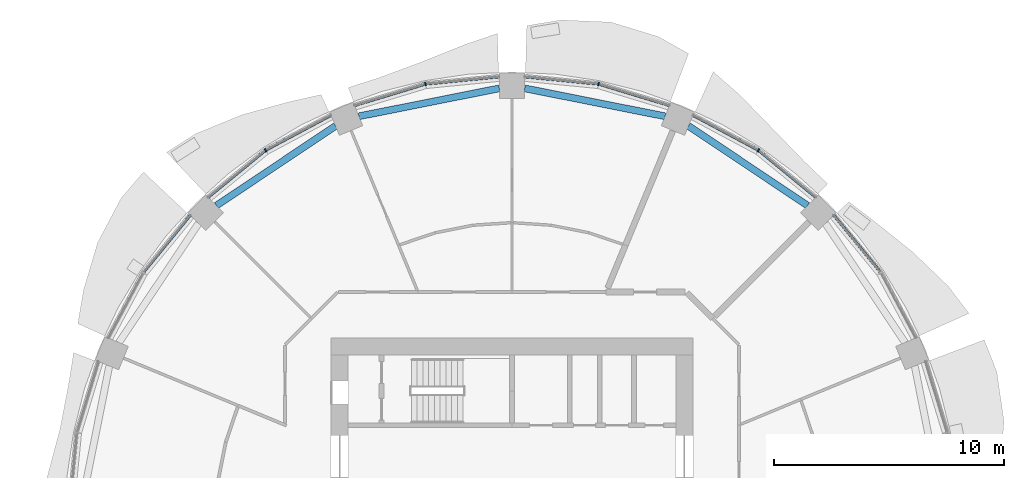
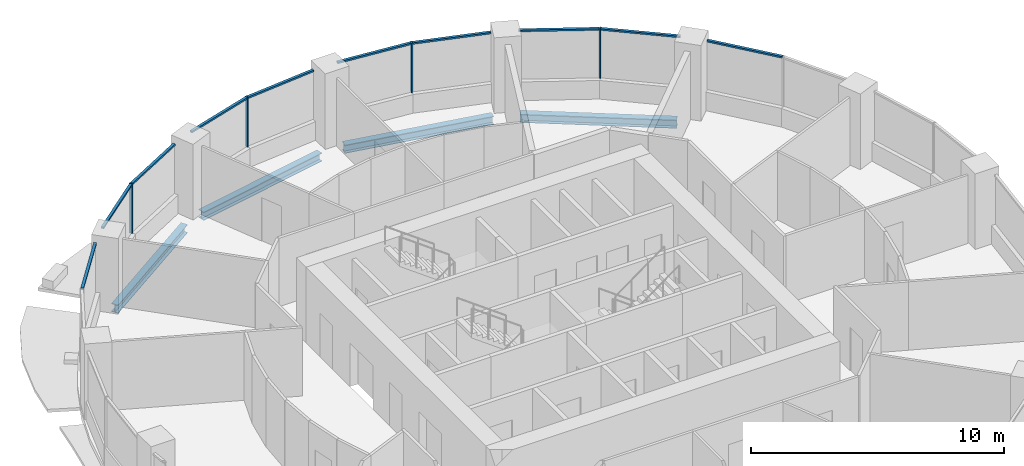
# One storey, part 6 of 15: 14 members, 4 beams, 6 elements without a shape of their own.
"""IFC4 building model written with IfcOpenShell, lengths in metres."""

from ifc_helpers import new_model, si_unit, direction, frame, origin, origin_2d, place, context, subcontext, project, spatial, rectangle, i_section, extrude, material, material_profile, profile_set, type_object, element, aggregate, save


model = new_model("IFC4")

# Units and contexts
model_context = context("Model", 3, precision=1e-05, world=origin(), true_north=direction((0.0, 1.0)))
body_context = subcontext(model_context, "Body", "Model", "MODEL_VIEW")
ifc_project = project(units=[si_unit("LENGTHUNIT", "METRE"), si_unit("AREAUNIT", "SQUARE_METRE"), si_unit("VOLUMEUNIT", "CUBIC_METRE"), si_unit("PLANEANGLEUNIT", "RADIAN"), si_unit("MASSUNIT", "GRAM", prefix="KILO")], contexts=[model_context])

# Site, building, storey
site_placement = place(None, origin())
site = spatial("IfcSite", under=ifc_project, at=site_placement, CompositionType="ELEMENT")
building_placement = place(site_placement, origin())
building = spatial("IfcBuilding", under=site, at=building_placement, Name="Polderwave Tower", CompositionType="ELEMENT")
storey_placement = place(building_placement, frame((0.0, 0.0, 80.050048828125)))
storey = spatial("IfcBuildingStorey", under=building, at=storey_placement, Name="L20", CompositionType="ELEMENT", Elevation=80.050048828125)

# Curtain wall, member
ifc_material_1 = material(Name="Aluminium 6063-T6 and glass", Category="aluminium")
curtain_wall_type = type_object("IfcCurtainWallType", Name="Growing floor ribbon glazing wall", PredefinedType="NOTDEFINED", material=ifc_material_1)
curtain_wall_1_placement = place(storey_placement, origin())
curtain_wall_1 = element("IfcCurtainWall", 1, at=curtain_wall_1_placement, inside=storey, type_object=curtain_wall_type, Name="CW2 L20 02", PredefinedType="NOTDEFINED")
ifc_material_2 = material(Name="Aluminium 6063-T6", Category="aluminium")
ifc_material_profile_1 = material_profile(ifc_material_2, rectangle(XDim=0.14990234375, YDim=0.06005859375, at=origin_2d()), Name="AL 60x150")
ifc_profile_set_1 = profile_set([ifc_material_profile_1], Name="Aluminium 6063-T6")
member_type_1 = type_object("IfcMemberType", Name="Growing floor ribbon glazing mullion 60x150", PredefinedType="MULLION", material=ifc_profile_set_1)
member_1_placement = place(storey_placement, frame((10.717041015625, 16.0390625, 0.89990234375), z_axis=(0.0, 0.0, 1.0), x_axis=(-0.555496220219, -0.831519061311, 0.0)))
member_1 = element("IfcMember", 2, at=member_1_placement, type_object=member_type_1, Name="CW2 mullion 1", PredefinedType="MULLION", context=body_context, shape_type="SweptSolid", body=[
    extrude(rectangle(XDim=0.14990234375, YDim=0.06005859375, at=origin_2d()), origin(), (0.0, 0.0, 1.0), 2.400146484375),
])

curtain_wall_2_placement = place(storey_placement, origin())
curtain_wall_2 = element("IfcCurtainWall", 3, at=curtain_wall_2_placement, inside=storey, type_object=curtain_wall_type, Name="CW2 L20 03", PredefinedType="NOTDEFINED")
member_2_placement = place(storey_placement, frame((3.762939453125, 18.9189453125, 0.89990234375), z_axis=(0.0, 0.0, 1.0), x_axis=(-0.19512284598, -0.980778810424, 0.0)))
member_2 = element("IfcMember", 4, at=member_2_placement, type_object=member_type_1, Name="CW2 mullion 1", PredefinedType="MULLION", context=body_context, shape_type="SweptSolid", body=[
    extrude(rectangle(XDim=0.14990234375, YDim=0.06005859375, at=origin_2d()), origin(), (0.0, 0.0, 1.0), 2.400146484375),
])

curtain_wall_3_placement = place(storey_placement, origin())
curtain_wall_3 = element("IfcCurtainWall", 5, at=curtain_wall_3_placement, inside=storey, type_object=curtain_wall_type, Name="CW2 L20 04", PredefinedType="NOTDEFINED")
member_3_placement = place(storey_placement, frame((-3.762939453125, 18.9189453125, 0.89990234375), z_axis=(0.0, 0.0, 1.0), x_axis=(0.19512284598, -0.980778810424, 0.0)))
member_3 = element("IfcMember", 6, at=member_3_placement, type_object=member_type_1, Name="CW2 mullion 1", PredefinedType="MULLION", context=body_context, shape_type="SweptSolid", body=[
    extrude(rectangle(XDim=0.14990234375, YDim=0.06005859375, at=origin_2d()), origin(), (0.0, 0.0, 1.0), 2.400146484375),
])

curtain_wall_4_placement = place(storey_placement, origin())
curtain_wall_4 = element("IfcCurtainWall", 7, at=curtain_wall_4_placement, inside=storey, type_object=curtain_wall_type, Name="CW2 L20 05", PredefinedType="NOTDEFINED")
member_4_placement = place(storey_placement, frame((-10.717041015625, 16.0390625, 0.89990234375), z_axis=(0.0, 0.0, 1.0), x_axis=(0.555496220219, -0.831519061311, 0.0)))
member_4 = element("IfcMember", 8, at=member_4_placement, type_object=member_type_1, Name="CW2 mullion 1", PredefinedType="MULLION", context=body_context, shape_type="SweptSolid", body=[
    extrude(rectangle(XDim=0.14990234375, YDim=0.06005859375, at=origin_2d()), origin(), (0.0, 0.0, 1.0), 2.400146484375),
])

curtain_wall_5_placement = place(storey_placement, origin())
curtain_wall_5 = element("IfcCurtainWall", 9, at=curtain_wall_5_placement, inside=storey, type_object=curtain_wall_type, Name="CW2 L20 01", PredefinedType="NOTDEFINED")
ifc_material_profile_2 = material_profile(ifc_material_2, rectangle(XDim=0.1201171875, YDim=0.080078125, at=origin_2d()), Name="AL 80x120")
ifc_profile_set_2 = profile_set([ifc_material_profile_2], Name="Aluminium 6063-T6")
member_type_2 = type_object("IfcMemberType", Name="Growing floor ribbon glazing transom 80x120", PredefinedType="USERDEFINED", material=ifc_profile_set_2)
member_5_placement = place(storey_placement, frame((16.02001953125, 10.740234375, 3.260009765625), z_axis=(-0.634355209348, 0.773041698987, 0.0), x_axis=(-0.773041698987, -0.634355209348, 0.0)))
member_5 = element("IfcMember", 10, at=member_5_placement, type_object=member_type_2, Name="CW2 transom 2", ObjectType="TRANSOM", PredefinedType="USERDEFINED", context=body_context, shape_type="SweptSolid", body=[
    extrude(rectangle(XDim=0.1201171875, YDim=0.080078125, at=origin_2d()), origin(), (0.0, 0.0, 1.0), 3.198486328125),
])
aggregate(curtain_wall_5, [member_5])

# Member
member_6_placement = place(storey_placement, frame((13.212890625, 13.990966796875, 3.260009765625), z_axis=(-0.773041698987, 0.634355209348, 0.0), x_axis=(-0.634355209348, -0.773041698987, 0.0)))
member_6 = element("IfcMember", 11, at=member_6_placement, type_object=member_type_2, Name="CW2 transom 1", ObjectType="TRANSOM", PredefinedType="USERDEFINED", context=body_context, shape_type="SweptSolid", body=[
    extrude(rectangle(XDim=0.1201171875, YDim=0.080078125, at=origin_2d()), origin(), (0.0, 0.0, 1.0), 3.198486328125),
])

member_7_placement = place(storey_placement, frame((10.6904296875, 16.052978515625, 3.260009765625), z_axis=(-0.881932215645, 0.471376247819, 0.0), x_axis=(-0.471376247819, -0.881932215645, 0.0)))
member_7 = element("IfcMember", 12, at=member_7_placement, type_object=member_type_2, Name="CW2 transom 2", ObjectType="TRANSOM", PredefinedType="USERDEFINED", context=body_context, shape_type="SweptSolid", body=[
    extrude(rectangle(XDim=0.1201171875, YDim=0.080078125, at=origin_2d()), origin(), (0.0, 0.0, 1.0), 3.19921875),
])

aggregate(curtain_wall_1, [member_1, member_6, member_7])

member_8_placement = place(storey_placement, frame((6.85302734375, 17.98193359375, 3.260009765625), z_axis=(-0.956954412848, 0.290238267171, 0.0), x_axis=(-0.290238267171, -0.956954412848, 0.0)))
member_8 = element("IfcMember", 13, at=member_8_placement, type_object=member_type_2, Name="CW2 transom 1", ObjectType="TRANSOM", PredefinedType="USERDEFINED", context=body_context, shape_type="SweptSolid", body=[
    extrude(rectangle(XDim=0.1201171875, YDim=0.080078125, at=origin_2d()), origin(), (0.0, 0.0, 1.0), 3.198974609375),
])

member_9_placement = place(storey_placement, frame((3.733154296875, 18.921875, 3.260009765625), z_axis=(-0.995163341514, 0.098234025198, 0.0), x_axis=(-0.098234025198, -0.995163341514, 0.0)))
member_9 = element("IfcMember", 14, at=member_9_placement, type_object=member_type_2, Name="CW2 transom 2", ObjectType="TRANSOM", PredefinedType="USERDEFINED", context=body_context, shape_type="SweptSolid", body=[
    extrude(rectangle(XDim=0.1201171875, YDim=0.080078125, at=origin_2d()), origin(), (0.0, 0.0, 1.0), 3.198486328125),
])

aggregate(curtain_wall_2, [member_2, member_8, member_9])

member_10_placement = place(storey_placement, frame((-0.550048828125, 19.236083984375, 3.260009765625), z_axis=(-0.995163341514, -0.098234025198, 0.0), x_axis=(0.098234025198, -0.995163341514, 0.0)))
member_10 = element("IfcMember", 15, at=member_10_placement, type_object=member_type_2, Name="CW2 transom 1", ObjectType="TRANSOM", PredefinedType="USERDEFINED", context=body_context, shape_type="SweptSolid", body=[
    extrude(rectangle(XDim=0.1201171875, YDim=0.080078125, at=origin_2d()), origin(), (0.0, 0.0, 1.0), 3.198486328125),
])

member_11_placement = place(storey_placement, frame((-3.791748046875, 18.910400390625, 3.260009765625), z_axis=(-0.956954412848, -0.290238267171, 0.0), x_axis=(0.290238267171, -0.956954412848, 0.0)))
member_11 = element("IfcMember", 16, at=member_11_placement, type_object=member_type_2, Name="CW2 transom 2", ObjectType="TRANSOM", PredefinedType="USERDEFINED", context=body_context, shape_type="SweptSolid", body=[
    extrude(rectangle(XDim=0.1201171875, YDim=0.080078125, at=origin_2d()), origin(), (0.0, 0.0, 1.0), 3.198974609375),
])

aggregate(curtain_wall_3, [member_3, member_10, member_11])

member_12_placement = place(storey_placement, frame((-7.868896484375, 17.56103515625, 3.260009765625), z_axis=(-0.881932215645, -0.471376247819, 0.0), x_axis=(0.471376247819, -0.881932215645, 0.0)))
member_12 = element("IfcMember", 17, at=member_12_placement, type_object=member_type_2, Name="CW2 transom 1", ObjectType="TRANSOM", PredefinedType="USERDEFINED", context=body_context, shape_type="SweptSolid", body=[
    extrude(rectangle(XDim=0.1201171875, YDim=0.080078125, at=origin_2d()), origin(), (0.0, 0.0, 1.0), 3.19921875),
])

member_13_placement = place(storey_placement, frame((-10.740234375, 16.02001953125, 3.260009765625), z_axis=(-0.773041698987, -0.634355209348, 0.0), x_axis=(0.634355209348, -0.773041698987, 0.0)))
member_13 = element("IfcMember", 18, at=member_13_placement, type_object=member_type_2, Name="CW2 transom 2", ObjectType="TRANSOM", PredefinedType="USERDEFINED", context=body_context, shape_type="SweptSolid", body=[
    extrude(rectangle(XDim=0.1201171875, YDim=0.080078125, at=origin_2d()), origin(), (0.0, 0.0, 1.0), 3.198486328125),
])

aggregate(curtain_wall_4, [member_4, member_12, member_13])

# Curtain wall, member
curtain_wall_6_placement = place(storey_placement, origin())
curtain_wall_6 = element("IfcCurtainWall", 19, at=curtain_wall_6_placement, inside=storey, type_object=curtain_wall_type, Name="CW2 L20 06", PredefinedType="NOTDEFINED")
member_14_placement = place(storey_placement, frame((-13.990966796875, 13.212890625, 3.260009765625), z_axis=(-0.634355209348, -0.773041698987, 0.0), x_axis=(0.773041698987, -0.634355209348, 0.0)))
member_14 = element("IfcMember", 20, at=member_14_placement, type_object=member_type_2, Name="CW2 transom 1", ObjectType="TRANSOM", PredefinedType="USERDEFINED", context=body_context, shape_type="SweptSolid", body=[
    extrude(rectangle(XDim=0.1201171875, YDim=0.080078125, at=origin_2d()), origin(), (0.0, 0.0, 1.0), 3.198486328125),
])
aggregate(curtain_wall_6, [member_14])

# Beams
ifc_material_3 = material(Name="Steel S355", Category="steel")
ifc_material_profile_3 = material_profile(ifc_material_3, i_section(OverallWidth=0.300048828125, OverallDepth=0.39990234375, WebThickness=0.013427734375, FlangeThickness=0.02392578125, at=origin_2d()), Name="HE 400 B")
ifc_profile_set_3 = profile_set([ifc_material_profile_3], Name="Steel S355")
beam_type = type_object("IfcBeamType", Name="RING BEAM HE 400 B", PredefinedType="BEAM", material=ifc_profile_set_3)
beam_1_placement = place(storey_placement, frame((12.855712890625, 13.633544921875, -0.550048828125), z_axis=(-0.831489127752, 0.555541024975, 0.0), x_axis=(-0.555541024975, -0.831489127752, 0.0)))
element("IfcBeam", 21, at=beam_1_placement, inside=storey, type_object=beam_type, Name="ST-RB-L20-02", PredefinedType="BEAM", context=body_context, shape_type="SweptSolid", body=[
    extrude(i_section(OverallWidth=0.300048828125, OverallDepth=0.39990234375, WebThickness=0.013427734375, FlangeThickness=0.02392578125, at=origin_2d()), origin(), (0.0, 0.0, 1.0), 6.2294921875),
])
for number, where, z_axis, x_axis, name in (
    (22, (6.65966796875, 17.515380859375, -0.550048828125), (-0.980783645519, 0.195098540955, 0.0), (-0.195098540955, -0.980783645519, 0.0), "ST-RB-L20-03"),
    (23, (-0.550048828125, 18.730712890625, -0.550048828125), (-0.980783645519, -0.195098540955, 0.0), (0.195098540955, -0.980783645519, 0.0), "ST-RB-L20-04"),
):
    element("IfcBeam", number, at=place(storey_placement, frame(where, z_axis=z_axis, x_axis=x_axis)), inside=storey, type_object=beam_type, Name=name, PredefinedType="BEAM", context=body_context, shape_type="SweptSolid", body=[
        extrude(i_section(OverallWidth=0.300048828125, OverallDepth=0.39990234375, WebThickness=0.013427734375, FlangeThickness=0.02392578125, at=origin_2d()), origin(), (0.0, 0.0, 1.0), 6.229248046875),
    ])
beam_2_placement = place(storey_placement, frame((-7.676025390625, 17.09423828125, -0.550048828125), z_axis=(-0.831489127752, -0.555541024975, 0.0), x_axis=(0.555541024975, -0.831489127752, 0.0)))
element("IfcBeam", 24, at=beam_2_placement, inside=storey, type_object=beam_type, Name="ST-RB-L20-05", PredefinedType="BEAM", context=body_context, shape_type="SweptSolid", body=[
    extrude(i_section(OverallWidth=0.300048828125, OverallDepth=0.39990234375, WebThickness=0.013427734375, FlangeThickness=0.02392578125, at=origin_2d()), origin(), (0.0, 0.0, 1.0), 6.2294921875),
])

save(model, "model.ifc")
